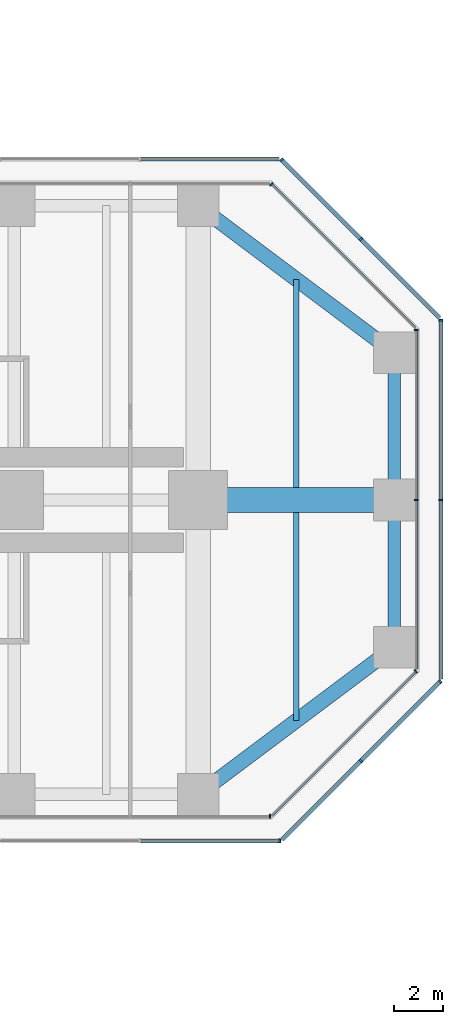
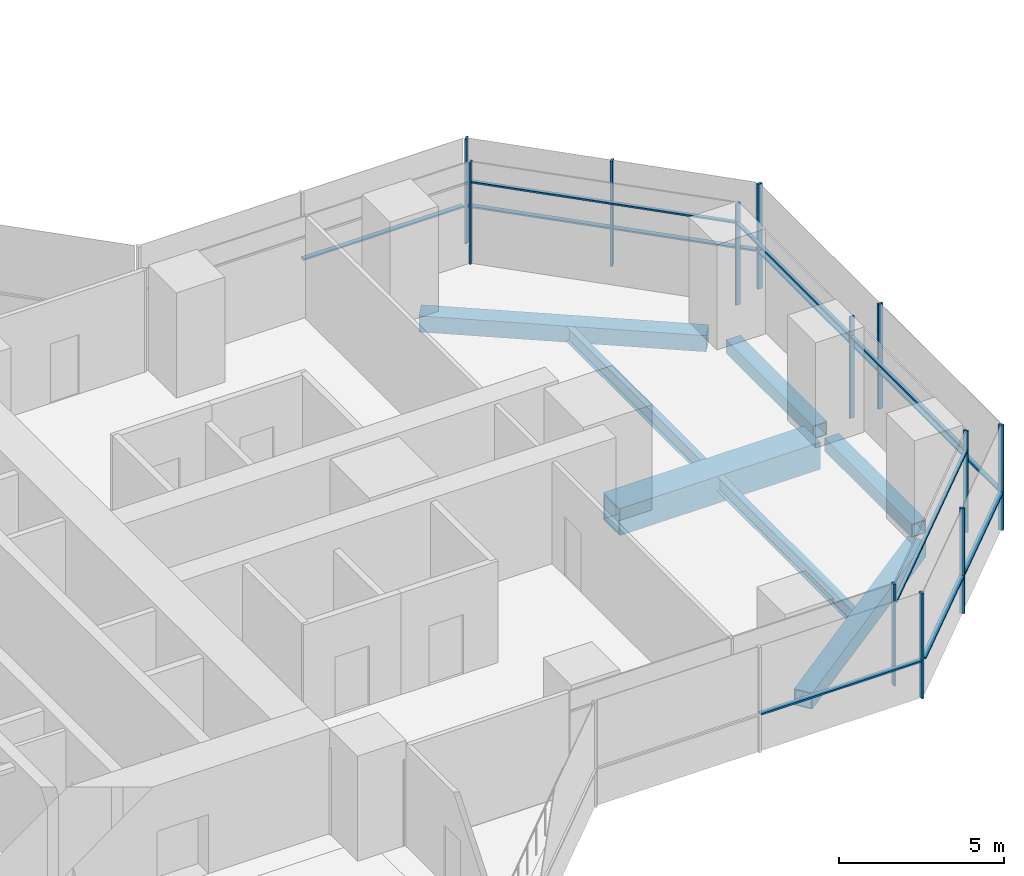
# One storey, part 12 of 22: 24 members, 7 beams, 9 elements without a shape of their own.
"""IFC4 building model written with IfcOpenShell, lengths in metres."""

import ifcopenshell
import ifcopenshell.guid

model = None  # the IFC model being written
_history = None  # IfcOwnerHistory: only IFC2X3 demands one
_inside = {}  # id of a spatial element -> (the spatial element, [elements in it])
_under = {}  # id of a project, library or spatial element -> (it, [spatial elements below it])
_declared = {}  # id of a project -> (the project, [libraries it declares])
_typed = {}  # id of a type object -> (the type object, [elements of that type])
_made_of = {}  # id of a material, layer set ... -> (it, [elements and type objects made of it])


def new_model(schema):
    """Start an empty IFC model of exactly this schema.

    Asked for "IFC4X3", IfcOpenShell would pick the latest addendum, in which some entities
    have other attributes; the version numbers below select the first issue.
    IFC2X3 requires an IfcOwnerHistory on every rooted entity: one is made here for all.
    """
    global model, _history
    if schema == "IFC4X3":
        model = ifcopenshell.file(schema_version=(4, 3, 0, 0))
    else:
        model = ifcopenshell.file(schema=schema)
    _inside.clear()
    _under.clear()
    _declared.clear()
    _typed.clear()
    _made_of.clear()
    _history = None
    if model.schema == "IFC2X3":
        org = make("IfcOrganization", Name="unknown")
        user = make(
            "IfcPersonAndOrganization",
            ThePerson=make("IfcPerson", FamilyName="unknown"),
            TheOrganization=org,
        )
        app = make(
            "IfcApplication",
            ApplicationDeveloper=org,
            Version="unknown",
            ApplicationFullName="unknown",
            ApplicationIdentifier="unknown",
        )
        _history = make(
            "IfcOwnerHistory",
            OwningUser=user,
            OwningApplication=app,
            ChangeAction="ADDED",
            CreationDate=0,
        )
    return model


def make(cls, **values):
    """One entity of the class cls with the attributes given. An attribute that is None is left unset."""
    return model.create_entity(
        cls, **{name: value for name, value in values.items() if value is not None}
    )


def rooted(cls, **values):
    """An entity with a GlobalId (a new one), such as an element, a storey or a relation."""
    return make(cls, GlobalId=ifcopenshell.guid.new(), OwnerHistory=_history, **values)


def si_unit(unit_type, name, prefix=None):
    """IfcSIUnit, for example si_unit("LENGTHUNIT", "METRE", prefix="MILLI")."""
    return make("IfcSIUnit", UnitType=unit_type, Prefix=prefix, Name=name)


def assignment(units):
    """IfcUnitAssignment: the units of a project."""
    return None if units is None else make("IfcUnitAssignment", Units=units)


def point(xyz):
    """IfcCartesianPoint."""
    return None if xyz is None else make("IfcCartesianPoint", Coordinates=xyz)


def direction(xyz):
    """IfcDirection."""
    return None if xyz is None else make("IfcDirection", DirectionRatios=xyz)


def frame(location, z_axis=None, x_axis=None):
    """IfcAxis2Placement3D, a coordinate frame: its origin and axes. An axis left out is left unset."""
    return make(
        "IfcAxis2Placement3D",
        Location=point(location),
        Axis=direction(z_axis),
        RefDirection=direction(x_axis),
    )


def frame_2d(location, x_axis=None):
    """IfcAxis2Placement2D, a coordinate frame in the plane: its origin and x axis."""
    return make(
        "IfcAxis2Placement2D", Location=point(location), RefDirection=direction(x_axis)
    )


def origin():
    """The frame at (0, 0, 0) with its axes left unset."""
    return frame((0.0, 0.0, 0.0))


def origin_2d():
    """The frame at (0, 0) in the plane with its x axis left unset."""
    return frame_2d((0.0, 0.0))


def place(relative_to, where):
    """IfcLocalPlacement: puts the frame where relative to a parent placement (None: the world)."""
    return make(
        "IfcLocalPlacement", PlacementRelTo=relative_to, RelativePlacement=where
    )


def context(
    kind, dimensions, precision=None, world=None, true_north=None, identifier=None
):
    """IfcGeometricRepresentationContext, for example the 3D "Model" context."""
    return make(
        "IfcGeometricRepresentationContext",
        ContextIdentifier=identifier,
        ContextType=kind,
        CoordinateSpaceDimension=dimensions,
        Precision=precision,
        WorldCoordinateSystem=world,
        TrueNorth=true_north,
    )


def subcontext(parent, identifier, kind, view, scale=None):
    """IfcGeometricRepresentationSubContext, for example "Body" below "Model"."""
    return make(
        "IfcGeometricRepresentationSubContext",
        ContextIdentifier=identifier,
        ContextType=kind,
        ParentContext=parent,
        TargetScale=scale,
        TargetView=view,
    )


def project(units=None, contexts=None):
    """IfcProject with its units and contexts."""
    return rooted(
        "IfcProject",
        Name="project",
        RepresentationContexts=contexts,
        UnitsInContext=assignment(units),
    )


def spatial(cls, under=None, at=None, **own):
    """A site, building, storey or space (cls), placed at a placement, below another one or the project."""
    s = rooted(cls, ObjectPlacement=at, **own)
    if under is not None:
        _under.setdefault(under.id(), (under, []))[1].append(s)
    return s


def profile(cls, at=None, kind="AREA", **sizes):
    """A parametric profile (cls). Its sizes go by their IFC names, for example OverallWidth=200.0."""
    return make(cls, ProfileType=kind, Position=at, **sizes)


def rectangle(**sizes):
    """IfcRectangleProfileDef."""
    return profile("IfcRectangleProfileDef", **sizes)


def hollow_rectangle(**sizes):
    """IfcRectangleHollowProfileDef."""
    return profile("IfcRectangleHollowProfileDef", **sizes)


def i_section(**sizes):
    """IfcIShapeProfileDef."""
    return profile("IfcIShapeProfileDef", **sizes)


def extrude(swept, where, along, depth):
    """IfcExtrudedAreaSolid: the profile swept, set in the frame where, extruded along a direction by depth."""
    return make(
        "IfcExtrudedAreaSolid",
        SweptArea=swept,
        Position=where,
        ExtrudedDirection=direction(along),
        Depth=depth,
    )


def shape(context_of_items, identifier, shape_type, items):
    """IfcShapeRepresentation: the items that make up one representation, for example the "Body"."""
    return make(
        "IfcShapeRepresentation",
        ContextOfItems=context_of_items,
        RepresentationIdentifier=identifier,
        RepresentationType=shape_type,
        Items=items,
    )


def material(Name=None, Category=None):
    """IfcMaterial."""
    return make("IfcMaterial", Name=Name, Category=Category)


def material_profile(
    of_material, cross_section, Name=None, Category=None, Priority=None
):
    """IfcMaterialProfile: a cross section and its material."""
    return make(
        "IfcMaterialProfile",
        Name=Name,
        Material=of_material,
        Profile=cross_section,
        Priority=Priority,
        Category=Category,
    )


def profile_set(profiles, Name=None, composite=None):
    """IfcMaterialProfileSet."""
    return make(
        "IfcMaterialProfileSet",
        Name=Name,
        MaterialProfiles=profiles,
        CompositeProfile=composite,
    )


def made_of(thing, what):
    """Note that an element or type object is made of a material, layer set ...; save() writes the relation."""
    if what is not None:
        _made_of.setdefault(what.id(), (what, []))[1].append(thing)
    return thing


def type_object(cls, material=None, **own):
    """A type object (cls), such as IfcWallType, which elements share."""
    return made_of(rooted(cls, **own), material)


def element(
    cls,
    number,
    at=None,
    inside=None,
    cuts=None,
    type_object=None,
    material=None,
    context=None,
    identifier="Body",
    shape_type=None,
    held_by="IfcProductDefinitionShape",
    body=None,
    shapes=None,
    **own,
):
    """One element of the class cls, such as IfcWall. Its Tag is "e" and its number.

    at: its placement. inside: the storey or other place that contains it. cuts: it is an
    opening in that element (IfcRelVoidsElement). A single representation is given by context,
    identifier, shape_type and body (its items); several are given by shapes. held_by: the class
    of the entity that holds the representations. save() writes the other relations.
    """
    e = rooted(cls, Tag="e%d" % number, ObjectPlacement=at, **own)
    if body is not None:
        shapes = [shape(context, identifier, shape_type, body)]
    if shapes is not None:
        e.Representation = make(held_by, Representations=shapes)
    if inside is not None:
        _inside.setdefault(inside.id(), (inside, []))[1].append(e)
    if cuts is not None:
        rooted(
            "IfcRelVoidsElement", RelatingBuildingElement=cuts, RelatedOpeningElement=e
        )
    if type_object is not None:
        _typed.setdefault(type_object.id(), (type_object, []))[1].append(e)
    return made_of(e, material)


def aggregate(whole, parts):
    """IfcRelAggregates: a whole, such as a stair, and the parts it consists of."""
    return rooted("IfcRelAggregates", RelatingObject=whole, RelatedObjects=parts)


def save(model, path):
    """Write the relations noted so far, then the file.

    IfcRelAggregates (storeys below a building ...), IfcRelContainedInSpatialStructure (elements
    in a storey), IfcRelDefinesByType, IfcRelAssociatesMaterial and IfcRelDeclares: one each for
    every whole, place, type object, material and project.
    """
    for whole, parts in _under.values():
        aggregate(whole, parts)
    for where, things in _inside.values():
        rooted(
            "IfcRelContainedInSpatialStructure",
            RelatedElements=things,
            RelatingStructure=where,
        )
    for kind, things in _typed.values():
        rooted("IfcRelDefinesByType", RelatedObjects=things, RelatingType=kind)
    for what, things in _made_of.values():
        rooted("IfcRelAssociatesMaterial", RelatedObjects=things, RelatingMaterial=what)
    for by, libraries in _declared.values():
        rooted("IfcRelDeclares", RelatingContext=by, RelatedDefinitions=libraries)
    model.write(path)


model = new_model("IFC4")

# Units and contexts
model_context = context("Model", 3, precision=1e-05, world=origin(), true_north=direction((0.0, 1.0)))
body_context = subcontext(model_context, "Body", "Model", "MODEL_VIEW")
ifc_project = project(units=[si_unit("LENGTHUNIT", "METRE"), si_unit("AREAUNIT", "SQUARE_METRE"), si_unit("VOLUMEUNIT", "CUBIC_METRE"), si_unit("PLANEANGLEUNIT", "RADIAN"), si_unit("MASSUNIT", "GRAM", prefix="KILO")], contexts=[model_context])

# Site, building, storey
site_placement = place(None, origin())
site = spatial("IfcSite", under=ifc_project, at=site_placement, CompositionType="ELEMENT")
building_placement = place(site_placement, origin())
building = spatial("IfcBuilding", under=site, at=building_placement, Name="Mizan Broadcast Tower", CompositionType="ELEMENT")
storey_placement = place(building_placement, frame((0.0, 0.0, 63.0)))
storey = spatial("IfcBuildingStorey", under=building, at=storey_placement, Name="L12", CompositionType="ELEMENT", Elevation=63.0)

# Beams
ifc_material_1 = material(Name="Steel S355", Category="steel")
ifc_material_profile_1 = material_profile(ifc_material_1, hollow_rectangle(XDim=0.5, YDim=0.5, WallThickness=0.030029296875, at=origin_2d()), Name="BOX 500x500x30")
ifc_profile_set_1 = profile_set([ifc_material_profile_1], Name="Steel S355")
beam_type_1 = type_object("IfcBeamType", Name="EDGE BEAM BOX 500x500x30", PredefinedType="SPANDREL", material=ifc_profile_set_1)
for number, where, z_axis, x_axis, name in (
    (1, (35.0, -5.639892578125, -0.3798828125), (0.0, 1.0, 0.0), (-1.0, 0.0, 0.0), "Edge beam BOX 500x500x30 L12 east arm"),
    (2, (35.0, 5.639892578125, -0.3798828125), (0.0, -1.0, 0.0), (1.0, 0.0, 0.0), "Edge beam BOX 500x500x30 L12 east arm"),
):
    element("IfcBeam", number, at=place(storey_placement, frame(where, z_axis=z_axis, x_axis=x_axis)), inside=storey, type_object=beam_type_1, Name=name, PredefinedType="SPANDREL", context=body_context, shape_type="SweptSolid", body=[
        extrude(hollow_rectangle(XDim=0.5, YDim=0.5, WallThickness=0.030029296875, at=origin_2d()), origin(), (0.0, 0.0, 1.0), 5.27978515625),
    ])
ifc_material_2 = material(Name="Steel S355", Category="steel")
ifc_material_profile_2 = material_profile(ifc_material_2, hollow_rectangle(XDim=0.60009765625, YDim=0.60009765625, WallThickness=0.030029296875, at=origin_2d()), Name="BOX 600x600x30")
ifc_profile_set_2 = profile_set([ifc_material_profile_2], Name="Steel S355")
beam_type_2 = type_object("IfcBeamType", Name="EDGE BEAM BOX 600x600x30", PredefinedType="SPANDREL", material=ifc_profile_set_2)
for number, where, z_axis, x_axis, name in (
    (3, (27.47998046875, -11.639892578125, -0.429931640625), (0.800013316712, 0.599982243973, 0.0), (-0.599982243973, 0.800013316712, 0.0), "Edge beam BOX 600x600x30 L12 east arm"),
    (4, (27.47998046875, 11.639892578125, -0.429931640625), (0.800013316712, -0.599982243973, 0.0), (0.599982243973, 0.800013316712, 0.0), "Edge beam BOX 600x600x30 L12 east arm"),
):
    element("IfcBeam", number, at=place(storey_placement, frame(where, z_axis=z_axis, x_axis=x_axis)), inside=storey, type_object=beam_type_2, Name=name, PredefinedType="SPANDREL", context=body_context, shape_type="SweptSolid", body=[
        extrude(hollow_rectangle(XDim=0.60009765625, YDim=0.60009765625, WallThickness=0.030029296875, at=origin_2d()), origin(), (0.0, 0.0, 1.0), 8.7998046875),
    ])
ifc_material_3 = material(Name="Steel S460", Category="steel")
ifc_material_profile_3 = material_profile(ifc_material_3, hollow_rectangle(XDim=1.0, YDim=1.0, WallThickness=0.06005859375, at=origin_2d()), Name="BOX 1000x1000x60")
ifc_profile_set_3 = profile_set([ifc_material_profile_3], Name="Steel S460")
beam_type_3 = type_object("IfcBeamType", Name="GIRDER BOX 1000x1000x60", PredefinedType="BEAM", material=ifc_profile_set_3)
beam_placement = place(storey_placement, frame((27.47998046875, 0.0, -0.6298828125), z_axis=(1.0, 0.0, 0.0), x_axis=(0.0, 1.0, 0.0)))
element("IfcBeam", 5, at=beam_placement, inside=storey, type_object=beam_type_3, Name="Girder BOX 1000x1000x60 L12 east arm", PredefinedType="BEAM", context=body_context, shape_type="SweptSolid", body=[
    extrude(hollow_rectangle(XDim=1.0, YDim=1.0, WallThickness=0.06005859375, at=origin_2d()), origin(), (0.0, 0.0, 1.0), 7.0400390625),
])

# Curtain wall, member
ifc_material_4 = material(Name="Aluminium framed glazing", Category="aluminium")
curtain_wall_type_1 = type_object("IfcCurtainWallType", Name="INNER SKIN LOW ZONE", PredefinedType="USERDEFINED", material=ifc_material_4)
curtain_wall_1_placement = place(storey_placement, origin())
curtain_wall_1 = element("IfcCurtainWall", 6, at=curtain_wall_1_placement, inside=storey, type_object=curtain_wall_type_1, Name="Inner skin low zone L12 E side", ObjectType="INNER SKIN LOW ZONE", PredefinedType="USERDEFINED")
ifc_material_5 = material(Name="Aluminium, pale anodised", Category="aluminium")
ifc_material_profile_4 = material_profile(ifc_material_5, rectangle(XDim=0.159912109375, YDim=0.06005859375, at=origin_2d()), Name="MULLION 160x60")
ifc_profile_set_4 = profile_set([ifc_material_profile_4], Name="Aluminium, pale anodised")
member_type_1 = type_object("IfcMemberType", Name="INNER SKIN MULLION 60x160", PredefinedType="MULLION", material=ifc_profile_set_4)
member_1_placement = place(storey_placement, frame((29.928466796875, -12.89990234375, 0.0), z_axis=(0.0, 0.0, 1.0), x_axis=(0.0, 1.0, 0.0)))
member_1 = element("IfcMember", 7, at=member_1_placement, type_object=member_type_1, Name="Inner skin low zone L12 E side mullion 3", PredefinedType="MULLION", context=body_context, shape_type="SweptSolid", body=[
    extrude(rectangle(XDim=0.159912109375, YDim=0.06005859375, at=origin_2d()), origin(), (0.0, 0.0, 1.0), 3.77001953125),
])
aggregate(curtain_wall_1, [member_1])

curtain_wall_2_placement = place(storey_placement, origin())
curtain_wall_2 = element("IfcCurtainWall", 8, at=curtain_wall_2_placement, inside=storey, type_object=curtain_wall_type_1, Name="Inner skin low zone L12 E chamfer", ObjectType="INNER SKIN LOW ZONE", PredefinedType="USERDEFINED")
member_2_placement = place(storey_placement, frame((35.87890625, -6.979736328125, 0.0), z_axis=(0.0, 0.0, 1.0), x_axis=(-0.707106781187, 0.707106781187, 0.0)))
member_2 = element("IfcMember", 9, at=member_2_placement, type_object=member_type_1, Name="Inner skin low zone L12 E chamfer mullion 2", PredefinedType="MULLION", context=body_context, shape_type="SweptSolid", body=[
    extrude(rectangle(XDim=0.159912109375, YDim=0.06005859375, at=origin_2d()), origin(), (0.0, 0.0, 1.0), 3.77001953125),
])

# Curtain wall, members
curtain_wall_3_placement = place(storey_placement, origin())
curtain_wall_3 = element("IfcCurtainWall", 10, at=curtain_wall_3_placement, inside=storey, type_object=curtain_wall_type_1, Name="Inner skin low zone L12 E end", ObjectType="INNER SKIN LOW ZONE", PredefinedType="USERDEFINED")
member_3_placement = place(storey_placement, frame((35.89990234375, 0.0, 0.0), z_axis=(0.0, 0.0, 1.0), x_axis=(-1.0, 0.0, 0.0)))
member_3 = element("IfcMember", 11, at=member_3_placement, type_object=member_type_1, Name="Inner skin low zone L12 E end mullion 2", PredefinedType="MULLION", context=body_context, shape_type="SweptSolid", body=[
    extrude(rectangle(XDim=0.159912109375, YDim=0.06005859375, at=origin_2d()), origin(), (0.0, 0.0, 1.0), 3.77001953125),
])
member_4_placement = place(storey_placement, frame((35.89990234375, 6.928466796875, 0.0), z_axis=(0.0, 0.0, 1.0), x_axis=(-1.0, 0.0, 0.0)))
member_4 = element("IfcMember", 12, at=member_4_placement, type_object=member_type_1, Name="Inner skin low zone L12 E end mullion 3", PredefinedType="MULLION", context=body_context, shape_type="SweptSolid", body=[
    extrude(rectangle(XDim=0.159912109375, YDim=0.06005859375, at=origin_2d()), origin(), (0.0, 0.0, 1.0), 3.77001953125),
])

# Curtain wall, member
curtain_wall_4_placement = place(storey_placement, origin())
curtain_wall_4 = element("IfcCurtainWall", 13, at=curtain_wall_4_placement, inside=storey, type_object=curtain_wall_type_1, Name="Inner skin low zone L12 E chamfer", ObjectType="INNER SKIN LOW ZONE", PredefinedType="USERDEFINED")
member_5_placement = place(storey_placement, frame((29.979736328125, 12.87890625, 0.0), z_axis=(0.0, 0.0, 1.0), x_axis=(-0.707106781187, -0.707106781187, 0.0)))
member_5 = element("IfcMember", 14, at=member_5_placement, type_object=member_type_1, Name="Inner skin low zone L12 E chamfer mullion 2", PredefinedType="MULLION", context=body_context, shape_type="SweptSolid", body=[
    extrude(rectangle(XDim=0.159912109375, YDim=0.06005859375, at=origin_2d()), origin(), (0.0, 0.0, 1.0), 3.77001953125),
])

# Member
ifc_material_6 = material(Name="Aluminium, pale anodised", Category="aluminium")
ifc_material_profile_5 = material_profile(ifc_material_6, rectangle(XDim=0.1201171875, YDim=0.06005859375, at=origin_2d()), Name="TRANSOM 120x60")
ifc_profile_set_5 = profile_set([ifc_material_profile_5], Name="Aluminium, pale anodised")
member_type_2 = type_object("IfcMemberType", Name="INNER SKIN TRANSOM 60x120", PredefinedType="USERDEFINED", material=ifc_profile_set_5)
member_6_placement = place(storey_placement, frame((30.0009765625, -12.857666015625, 3.030029296875), z_axis=(0.707106781187, 0.707106781187, 0.0), x_axis=(-0.707106781187, 0.707106781187, 0.0)))
member_6 = element("IfcMember", 15, at=member_6_placement, type_object=member_type_2, Name="Inner skin low zone L12 E chamfer transom 1.1", ObjectType="TRANSOM", PredefinedType="USERDEFINED", context=body_context, shape_type="SweptSolid", body=[
    extrude(rectangle(XDim=0.1201171875, YDim=0.06005859375, at=origin_2d()), origin(), (0.0, 0.0, 1.0), 8.28271484375),
])

aggregate(curtain_wall_2, [member_2, member_6])

member_7_placement = place(storey_placement, frame((35.89990234375, -6.898681640625, 3.030029296875), z_axis=(0.0, 1.0, 0.0), x_axis=(-1.0, 0.0, 0.0)))
member_7 = element("IfcMember", 16, at=member_7_placement, type_object=member_type_2, Name="Inner skin low zone L12 E end transom 1.1", ObjectType="TRANSOM", PredefinedType="USERDEFINED", context=body_context, shape_type="SweptSolid", body=[
    extrude(rectangle(XDim=0.1201171875, YDim=0.06005859375, at=origin_2d()), origin(), (0.0, 0.0, 1.0), 6.86865234375),
])

member_8_placement = place(storey_placement, frame((35.89990234375, 0.030029296875, 3.030029296875), z_axis=(0.0, 1.0, 0.0), x_axis=(-1.0, 0.0, 0.0)))
member_8 = element("IfcMember", 17, at=member_8_placement, type_object=member_type_2, Name="Inner skin low zone L12 E end transom 2.1", ObjectType="TRANSOM", PredefinedType="USERDEFINED", context=body_context, shape_type="SweptSolid", body=[
    extrude(rectangle(XDim=0.1201171875, YDim=0.06005859375, at=origin_2d()), origin(), (0.0, 0.0, 1.0), 6.86865234375),
])

aggregate(curtain_wall_3, [member_3, member_4, member_7, member_8])

member_9_placement = place(storey_placement, frame((35.857666015625, 7.0009765625, 3.030029296875), z_axis=(-0.707106781187, 0.707106781187, 0.0), x_axis=(-0.707106781187, -0.707106781187, 0.0)))
member_9 = element("IfcMember", 18, at=member_9_placement, type_object=member_type_2, Name="Inner skin low zone L12 E chamfer transom 1.1", ObjectType="TRANSOM", PredefinedType="USERDEFINED", context=body_context, shape_type="SweptSolid", body=[
    extrude(rectangle(XDim=0.1201171875, YDim=0.06005859375, at=origin_2d()), origin(), (0.0, 0.0, 1.0), 8.28271484375),
])

aggregate(curtain_wall_4, [member_5, member_9])

# Curtain wall, members
ifc_material_7 = material(Name="Aluminium framed glazing", Category="aluminium")
curtain_wall_type_2 = type_object("IfcCurtainWallType", Name="OUTER SKIN", PredefinedType="USERDEFINED", material=ifc_material_7)
curtain_wall_5_placement = place(storey_placement, origin())
curtain_wall_5 = element("IfcCurtainWall", 19, at=curtain_wall_5_placement, inside=storey, type_object=curtain_wall_type_2, Name="Outer skin L12 E chamfer", ObjectType="OUTER SKIN", PredefinedType="USERDEFINED")
ifc_material_8 = material(Name="Aluminium, pale anodised", Category="aluminium")
ifc_material_profile_6 = material_profile(ifc_material_8, rectangle(XDim=0.159912109375, YDim=0.080078125, at=origin_2d()), Name="MULLION 160x80")
ifc_profile_set_6 = profile_set([ifc_material_profile_6], Name="Aluminium, pale anodised")
member_type_3 = type_object("IfcMemberType", Name="OUTER SKIN MULLION 80x160", PredefinedType="MULLION", material=ifc_profile_set_6)
member_10_placement = place(storey_placement, frame((33.636474609375, -10.636474609375, 0.0), z_axis=(0.0, 0.0, 1.0), x_axis=(-0.707106781187, 0.707106781187, 0.0)))
member_10 = element("IfcMember", 20, at=member_10_placement, type_object=member_type_3, Name="Outer skin L12 E chamfer mullion 2", PredefinedType="MULLION", context=body_context, shape_type="SweptSolid", body=[
    extrude(rectangle(XDim=0.159912109375, YDim=0.080078125, at=origin_2d()), origin(), (0.0, 0.0, 1.0), 3.89990234375),
])
member_11_placement = place(storey_placement, frame((36.871826171875, -7.401123046875, 0.0), z_axis=(0.0, 0.0, 1.0), x_axis=(-0.707106781187, 0.707106781187, 0.0)))
member_11 = element("IfcMember", 21, at=member_11_placement, type_object=member_type_3, Name="Outer skin L12 E chamfer mullion 3", PredefinedType="MULLION", context=body_context, shape_type="SweptSolid", body=[
    extrude(rectangle(XDim=0.159912109375, YDim=0.080078125, at=origin_2d()), origin(), (0.0, 0.0, 1.0), 3.89990234375),
])

curtain_wall_6_placement = place(storey_placement, origin())
curtain_wall_6 = element("IfcCurtainWall", 22, at=curtain_wall_6_placement, inside=storey, type_object=curtain_wall_type_2, Name="Outer skin L12 E end", ObjectType="OUTER SKIN", PredefinedType="USERDEFINED")
member_12_placement = place(storey_placement, frame((36.89990234375, 0.0, 0.0), z_axis=(0.0, 0.0, 1.0), x_axis=(-1.0, 0.0, 0.0)))
member_12 = element("IfcMember", 23, at=member_12_placement, type_object=member_type_3, Name="Outer skin L12 E end mullion 2", PredefinedType="MULLION", context=body_context, shape_type="SweptSolid", body=[
    extrude(rectangle(XDim=0.159912109375, YDim=0.080078125, at=origin_2d()), origin(), (0.0, 0.0, 1.0), 3.89990234375),
])
member_13_placement = place(storey_placement, frame((36.89990234375, 7.332763671875, 0.0), z_axis=(0.0, 0.0, 1.0), x_axis=(-1.0, 0.0, 0.0)))
member_13 = element("IfcMember", 24, at=member_13_placement, type_object=member_type_3, Name="Outer skin L12 E end mullion 3", PredefinedType="MULLION", context=body_context, shape_type="SweptSolid", body=[
    extrude(rectangle(XDim=0.159912109375, YDim=0.080078125, at=origin_2d()), origin(), (0.0, 0.0, 1.0), 3.89990234375),
])

curtain_wall_7_placement = place(storey_placement, origin())
curtain_wall_7 = element("IfcCurtainWall", 25, at=curtain_wall_7_placement, inside=storey, type_object=curtain_wall_type_2, Name="Outer skin L12 E chamfer", ObjectType="OUTER SKIN", PredefinedType="USERDEFINED")
member_14_placement = place(storey_placement, frame((33.636474609375, 10.636474609375, 0.0), z_axis=(0.0, 0.0, 1.0), x_axis=(-0.707106781187, -0.707106781187, 0.0)))
member_14 = element("IfcMember", 26, at=member_14_placement, type_object=member_type_3, Name="Outer skin L12 E chamfer mullion 2", PredefinedType="MULLION", context=body_context, shape_type="SweptSolid", body=[
    extrude(rectangle(XDim=0.159912109375, YDim=0.080078125, at=origin_2d()), origin(), (0.0, 0.0, 1.0), 3.89990234375),
])
member_15_placement = place(storey_placement, frame((30.401123046875, 13.871826171875, 0.0), z_axis=(0.0, 0.0, 1.0), x_axis=(-0.707106781187, -0.707106781187, 0.0)))
member_15 = element("IfcMember", 27, at=member_15_placement, type_object=member_type_3, Name="Outer skin L12 E chamfer mullion 3", PredefinedType="MULLION", context=body_context, shape_type="SweptSolid", body=[
    extrude(rectangle(XDim=0.159912109375, YDim=0.080078125, at=origin_2d()), origin(), (0.0, 0.0, 1.0), 3.89990234375),
])

# Curtain wall, member
curtain_wall_8_placement = place(storey_placement, origin())
curtain_wall_8 = element("IfcCurtainWall", 28, at=curtain_wall_8_placement, inside=storey, type_object=curtain_wall_type_2, Name="Outer skin L12 E side", ObjectType="OUTER SKIN", PredefinedType="USERDEFINED")
member_16_placement = place(storey_placement, frame((30.332763671875, -13.89990234375, 0.0), z_axis=(0.0, 0.0, 1.0), x_axis=(0.0, 1.0, 0.0)))
member_16 = element("IfcMember", 29, at=member_16_placement, type_object=member_type_3, Name="Outer skin L12 E side mullion 3", PredefinedType="MULLION", context=body_context, shape_type="SweptSolid", body=[
    extrude(rectangle(XDim=0.159912109375, YDim=0.080078125, at=origin_2d()), origin(), (0.0, 0.0, 1.0), 3.89990234375),
])

# Member
ifc_material_9 = material(Name="Aluminium, pale anodised", Category="aluminium")
ifc_material_profile_7 = material_profile(ifc_material_9, rectangle(XDim=0.159912109375, YDim=0.06005859375, at=origin_2d()), Name="TRANSOM 160x60")
ifc_profile_set_7 = profile_set([ifc_material_profile_7], Name="Aluminium, pale anodised")
member_type_4 = type_object("IfcMemberType", Name="OUTER SKIN TRANSOM 60x160", PredefinedType="USERDEFINED", material=ifc_profile_set_7)
member_17_placement = place(storey_placement, frame((30.429443359375, -13.843505859375, 1.39990234375), z_axis=(0.707106781187, 0.707106781187, 0.0), x_axis=(-0.707106781187, 0.707106781187, 0.0)))
member_17 = element("IfcMember", 30, at=member_17_placement, type_object=member_type_4, Name="Outer skin L12 E chamfer transom 1.1", ObjectType="TRANSOM", PredefinedType="USERDEFINED", context=body_context, shape_type="SweptSolid", body=[
    extrude(rectangle(XDim=0.159912109375, YDim=0.06005859375, at=origin_2d()), origin(), (0.0, 0.0, 1.0), 4.495361328125),
])

member_18_placement = place(storey_placement, frame((33.664794921875, -10.608154296875, 1.39990234375), z_axis=(0.707106781187, 0.707106781187, 0.0), x_axis=(-0.707106781187, 0.707106781187, 0.0)))
member_18 = element("IfcMember", 31, at=member_18_placement, type_object=member_type_4, Name="Outer skin L12 E chamfer transom 2.1", ObjectType="TRANSOM", PredefinedType="USERDEFINED", context=body_context, shape_type="SweptSolid", body=[
    extrude(rectangle(XDim=0.159912109375, YDim=0.06005859375, at=origin_2d()), origin(), (0.0, 0.0, 1.0), 4.495361328125),
])

aggregate(curtain_wall_5, [member_10, member_11, member_17, member_18])

member_19_placement = place(storey_placement, frame((36.89990234375, -7.292724609375, 1.39990234375), z_axis=(0.0, 1.0, 0.0), x_axis=(-1.0, 0.0, 0.0)))
member_19 = element("IfcMember", 32, at=member_19_placement, type_object=member_type_4, Name="Outer skin L12 E end transom 1.1", ObjectType="TRANSOM", PredefinedType="USERDEFINED", context=body_context, shape_type="SweptSolid", body=[
    extrude(rectangle(XDim=0.159912109375, YDim=0.06005859375, at=origin_2d()), origin(), (0.0, 0.0, 1.0), 7.252685546875),
])

member_20_placement = place(storey_placement, frame((36.89990234375, 0.0400390625, 1.39990234375), z_axis=(0.0, 1.0, 0.0), x_axis=(-1.0, 0.0, 0.0)))
member_20 = element("IfcMember", 33, at=member_20_placement, type_object=member_type_4, Name="Outer skin L12 E end transom 2.1", ObjectType="TRANSOM", PredefinedType="USERDEFINED", context=body_context, shape_type="SweptSolid", body=[
    extrude(rectangle(XDim=0.159912109375, YDim=0.06005859375, at=origin_2d()), origin(), (0.0, 0.0, 1.0), 7.252685546875),
])

aggregate(curtain_wall_6, [member_12, member_13, member_19, member_20])

member_21_placement = place(storey_placement, frame((36.843505859375, 7.429443359375, 1.39990234375), z_axis=(-0.707106781187, 0.707106781187, 0.0), x_axis=(-0.707106781187, -0.707106781187, 0.0)))
member_21 = element("IfcMember", 34, at=member_21_placement, type_object=member_type_4, Name="Outer skin L12 E chamfer transom 1.1", ObjectType="TRANSOM", PredefinedType="USERDEFINED", context=body_context, shape_type="SweptSolid", body=[
    extrude(rectangle(XDim=0.159912109375, YDim=0.06005859375, at=origin_2d()), origin(), (0.0, 0.0, 1.0), 4.495361328125),
])

member_22_placement = place(storey_placement, frame((33.608154296875, 10.664794921875, 1.39990234375), z_axis=(-0.707106781187, 0.707106781187, 0.0), x_axis=(-0.707106781187, -0.707106781187, 0.0)))
member_22 = element("IfcMember", 35, at=member_22_placement, type_object=member_type_4, Name="Outer skin L12 E chamfer transom 2.1", ObjectType="TRANSOM", PredefinedType="USERDEFINED", context=body_context, shape_type="SweptSolid", body=[
    extrude(rectangle(XDim=0.159912109375, YDim=0.06005859375, at=origin_2d()), origin(), (0.0, 0.0, 1.0), 4.495361328125),
])

aggregate(curtain_wall_7, [member_14, member_15, member_21, member_22])

# Curtain wall, member
curtain_wall_9_placement = place(storey_placement, origin())
curtain_wall_9 = element("IfcCurtainWall", 36, at=curtain_wall_9_placement, inside=storey, type_object=curtain_wall_type_2, Name="Outer skin L12 E side", ObjectType="OUTER SKIN", PredefinedType="USERDEFINED")
member_23_placement = place(storey_placement, frame((30.292724609375, 13.89990234375, 1.39990234375), z_axis=(-1.0, 0.0, 0.0), x_axis=(0.0, -1.0, 0.0)))
member_23 = element("IfcMember", 37, at=member_23_placement, type_object=member_type_4, Name="Outer skin L12 E side transom 1.1", ObjectType="TRANSOM", PredefinedType="USERDEFINED", context=body_context, shape_type="SweptSolid", body=[
    extrude(rectangle(XDim=0.159912109375, YDim=0.06005859375, at=origin_2d()), origin(), (0.0, 0.0, 1.0), 5.6298828125),
])
aggregate(curtain_wall_9, [member_23])

# Member
member_24_placement = place(storey_placement, frame((24.662841796875, -13.89990234375, 1.39990234375), z_axis=(1.0, 0.0, 0.0), x_axis=(0.0, 1.0, 0.0)))
member_24 = element("IfcMember", 38, at=member_24_placement, type_object=member_type_4, Name="Outer skin L12 E side transom 2.1", ObjectType="TRANSOM", PredefinedType="USERDEFINED", context=body_context, shape_type="SweptSolid", body=[
    extrude(rectangle(XDim=0.159912109375, YDim=0.06005859375, at=origin_2d()), origin(), (0.0, 0.0, 1.0), 5.6298828125),
])

aggregate(curtain_wall_8, [member_16, member_24])

# Beams
ifc_material_10 = material(Name="Steel S355", Category="steel")
ifc_material_profile_8 = material_profile(ifc_material_10, i_section(OverallWidth=0.2099609375, OverallDepth=0.550048828125, WebThickness=0.010986328125, FlangeThickness=0.01708984375, FilletRadius=0.02392578125, at=origin_2d()), Name="IPE 550")
ifc_profile_set_8 = profile_set([ifc_material_profile_8], Name="Steel S355")
beam_type_4 = type_object("IfcBeamType", Name="SECONDARY BEAM IPE 550", PredefinedType="JOIST", material=ifc_profile_set_8)
for number, where, z_axis, x_axis, name in (
    (39, (31.0, -9.0, -0.405029296875), (0.0, 1.0, 0.0), (-1.0, 0.0, 0.0), "Secondary beam IPE 550 L12 east arm"),
    (40, (31.0, 9.0, -0.405029296875), (0.0, -1.0, 0.0), (1.0, 0.0, 0.0), "Secondary beam IPE 550 L12 east arm"),
):
    element("IfcBeam", number, at=place(storey_placement, frame(where, z_axis=z_axis, x_axis=x_axis)), inside=storey, type_object=beam_type_4, Name=name, PredefinedType="JOIST", context=body_context, shape_type="SweptSolid", body=[
        extrude(i_section(OverallWidth=0.2099609375, OverallDepth=0.550048828125, WebThickness=0.010986328125, FlangeThickness=0.01708984375, FilletRadius=0.02392578125, at=origin_2d()), origin(), (0.0, 0.0, 1.0), 8.5),
    ])

save(model, "model.ifc")
